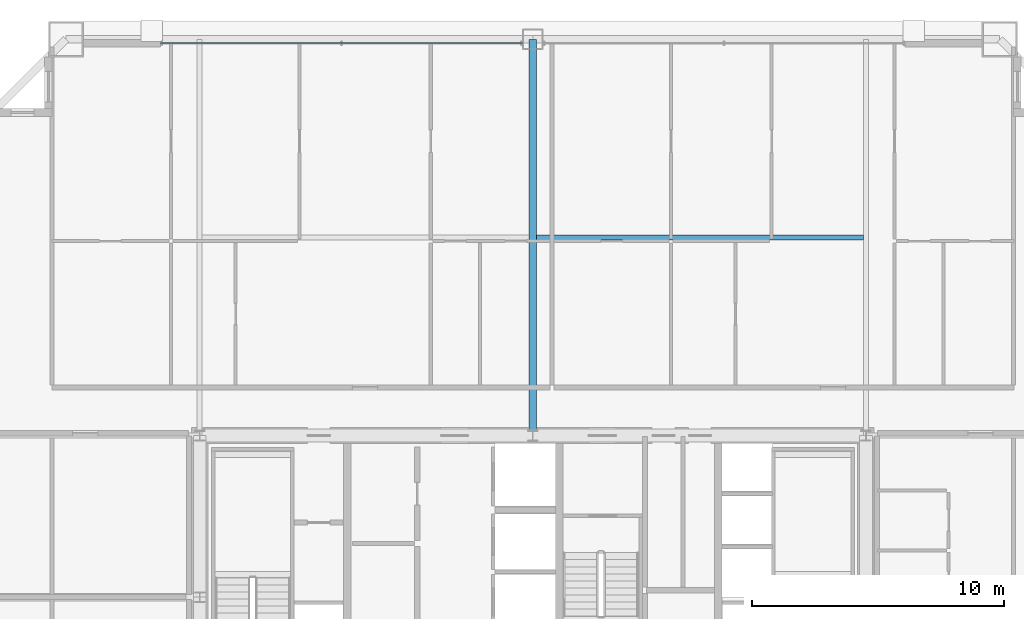
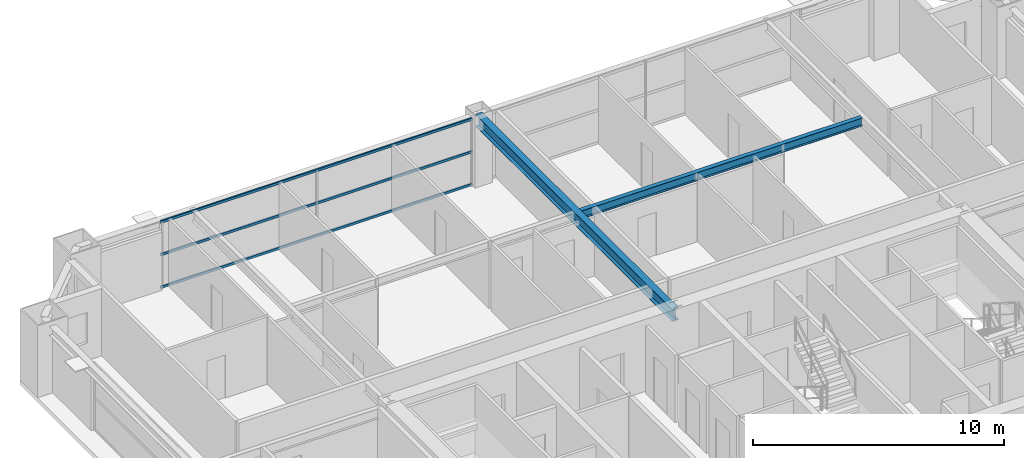
# One storey, part 28 of 38: 3 members, 2 beams, 1 element without a shape of its own.
"""IFC4 building model written with IfcOpenShell, lengths in metres."""

from ifc_helpers import new_model, si_unit, direction, frame, origin, origin_2d, place, context, subcontext, project, spatial, hollow_rectangle, i_section, extrude, source, transform, mapped, material, layer, layer_set, material_profile, profile_set, type_object, element, aggregate, save


model = new_model("IFC4")

# Units and contexts
model_context = context("Model", 3, precision=1e-05, world=origin(), true_north=direction((0.0, 1.0)))
body_context = subcontext(model_context, "Body", "Model", "MODEL_VIEW")
ifc_project = project(units=[si_unit("LENGTHUNIT", "METRE"), si_unit("AREAUNIT", "SQUARE_METRE"), si_unit("VOLUMEUNIT", "CUBIC_METRE"), si_unit("PLANEANGLEUNIT", "RADIAN"), si_unit("MASSUNIT", "GRAM", prefix="KILO"), si_unit("THERMODYNAMICTEMPERATUREUNIT", "KELVIN"), si_unit("POWERUNIT", "WATT")], contexts=[model_context])

# Site, building, storey
site_placement = place(None, origin())
site = spatial("IfcSite", under=ifc_project, at=site_placement, CompositionType="ELEMENT")
building_placement = place(site_placement, origin())
building = spatial("IfcBuilding", under=site, at=building_placement, Name="Yuzanri Waterfront Tower", CompositionType="ELEMENT")
storey_placement = place(building_placement, frame((0.0, 0.0, 195.0)))
storey = spatial("IfcBuildingStorey", under=building, at=storey_placement, Name="L51", CompositionType="ELEMENT", Elevation=195.0)

# Beams
ifc_material_1 = material(Name="Steel Q355B", Category="steel")
ifc_material_profile_1 = material_profile(ifc_material_1, i_section(OverallWidth=0.199951171875, OverallDepth=0.39990234375, WebThickness=0.008056640625, FlangeThickness=0.012939453125, at=origin_2d()), Name="HN 400x200x8x13")
ifc_profile_set_1 = profile_set([ifc_material_profile_1], Name="Steel Q355B")
beam_type_1 = type_object("IfcBeamType", Name="Floor Joist Q355B HN 400x200", PredefinedType="JOIST", material=ifc_profile_set_1)
shared_shape_1 = source(origin(), body_context, "Body", "SweptSolid", [
    extrude(i_section(OverallWidth=0.199951171875, OverallDepth=0.39990234375, WebThickness=0.008056640625, FlangeThickness=0.012939453125, at=origin_2d()), origin(), (0.0, 0.0, 1.0), 12.9501953125),
])
beam_1_placement = place(storey_placement, frame((37.14990234375, 40.050048828125, 3.080078125), z_axis=(1.0, 0.0, 0.0), x_axis=(0.0, 1.0, 0.0)))
element("IfcBeam", 1, at=beam_1_placement, inside=storey, type_object=beam_type_1, Name="L51 North Bay Joist E", PredefinedType="JOIST", context=body_context, shape_type="MappedRepresentation", body=[
    mapped(shared_shape_1, transform((0.0, 0.0, 0.0), scale=1.0)),
])
ifc_material_2 = material(Name="Steel Q355B", Category="steel")
ifc_material_profile_2 = material_profile(ifc_material_2, i_section(OverallWidth=0.300048828125, OverallDepth=0.587890625, WebThickness=0.011962890625, FlangeThickness=0.02001953125, at=origin_2d()), Name="HM 588x300x12x20")
ifc_profile_set_2 = profile_set([ifc_material_profile_2], Name="Steel Q355B")
beam_type_2 = type_object("IfcBeamType", Name="Primary Floor Girder Q355B HM 588x300", PredefinedType="BEAM", material=ifc_profile_set_2)
shared_shape_2 = source(origin(), body_context, "Body", "SweptSolid", [
    extrude(i_section(OverallWidth=0.300048828125, OverallDepth=0.587890625, WebThickness=0.011962890625, FlangeThickness=0.02001953125, at=origin_2d()), origin(), (0.0, 0.0, 1.0), 15.699951171875),
])
beam_2_placement = place(storey_placement, frame((37.0, 32.199951171875, 2.986083984375), z_axis=(0.0, 1.0, 0.0), x_axis=(-1.0, 0.0, 0.0)))
element("IfcBeam", 2, at=beam_2_placement, inside=storey, type_object=beam_type_2, Name="L51 North Grid Girder", PredefinedType="BEAM", context=body_context, shape_type="MappedRepresentation", body=[
    mapped(shared_shape_2, transform((0.0, 0.0, 0.0), scale=1.0)),
])

# Curtain wall, members
ifc_material_3 = material(Name="Anodized Architectural Bronze", Category="metal")
ifc_layer = layer(ifc_material_3, 0.159912109375)
ifc_layer_set = layer_set([ifc_layer], Name="Anodized Architectural Bronze")
curtain_wall_type = type_object("IfcCurtainWallType", Name="Anodized Bronze Mid-Rise Residential Acoustic Unitized Curtain Wall 7200", PredefinedType="NOTDEFINED", material=ifc_layer_set)
curtain_wall_placement = place(storey_placement, origin())
curtain_wall = element("IfcCurtainWall", 3, at=curtain_wall_placement, inside=storey, type_object=curtain_wall_type, Name="L51 Curtain Wall CW-L51-NL", PredefinedType="NOTDEFINED")
ifc_material_4 = material(Name="Anodized Architectural Bronze", Category="metal")
ifc_material_profile_3 = material_profile(ifc_material_4, hollow_rectangle(XDim=0.06494140625, YDim=0.1201171875, WallThickness=0.00341796875, at=origin_2d()), Name="CWT 65x120")
ifc_profile_set_3 = profile_set([ifc_material_profile_3], Name="Anodized Architectural Bronze")
member_type = type_object("IfcMemberType", Name="Anodized Bronze Secondary Curtain-Wall Transom 65x120", PredefinedType="USERDEFINED", material=ifc_profile_set_3)
shared_shape_3 = source(origin(), body_context, "Body", "SweptSolid", [
    extrude(hollow_rectangle(XDim=0.06494140625, YDim=0.1201171875, WallThickness=0.00341796875, at=origin_2d()), origin(), (0.0, 0.0, 1.0), 14.35009765625),
])
member_1_placement = place(storey_placement, frame((22.25, 47.75, 0.050048828125), z_axis=(1.0, 0.0, 0.0), x_axis=(0.0, 1.0, 0.0)))
member_1 = element("IfcMember", 4, at=member_1_placement, type_object=member_type, Name="CW-L51-NL Transom 1", ObjectType="TRANSOM", PredefinedType="USERDEFINED", context=body_context, shape_type="MappedRepresentation", body=[
    mapped(shared_shape_3, transform((0.0, 0.0, 0.0), scale=1.0)),
])
member_2_placement = place(storey_placement, frame((22.25, 47.75, 1.639892578125), z_axis=(1.0, 0.0, 0.0), x_axis=(0.0, 1.0, 0.0)))
member_2 = element("IfcMember", 5, at=member_2_placement, type_object=member_type, Name="CW-L51-NL Transom 2", ObjectType="TRANSOM", PredefinedType="USERDEFINED", context=body_context, shape_type="MappedRepresentation", body=[
    mapped(shared_shape_3, transform((0.0, 0.0, 0.0), scale=1.0)),
])
member_3_placement = place(storey_placement, frame((22.25, 47.75, 3.22998046875), z_axis=(1.0, 0.0, 0.0), x_axis=(0.0, 1.0, 0.0)))
member_3 = element("IfcMember", 6, at=member_3_placement, type_object=member_type, Name="CW-L51-NL Transom 3", ObjectType="TRANSOM", PredefinedType="USERDEFINED", context=body_context, shape_type="MappedRepresentation", body=[
    mapped(shared_shape_3, transform((0.0, 0.0, 0.0), scale=1.0)),
])
aggregate(curtain_wall, [member_1, member_2, member_3])

save(model, "model.ifc")
